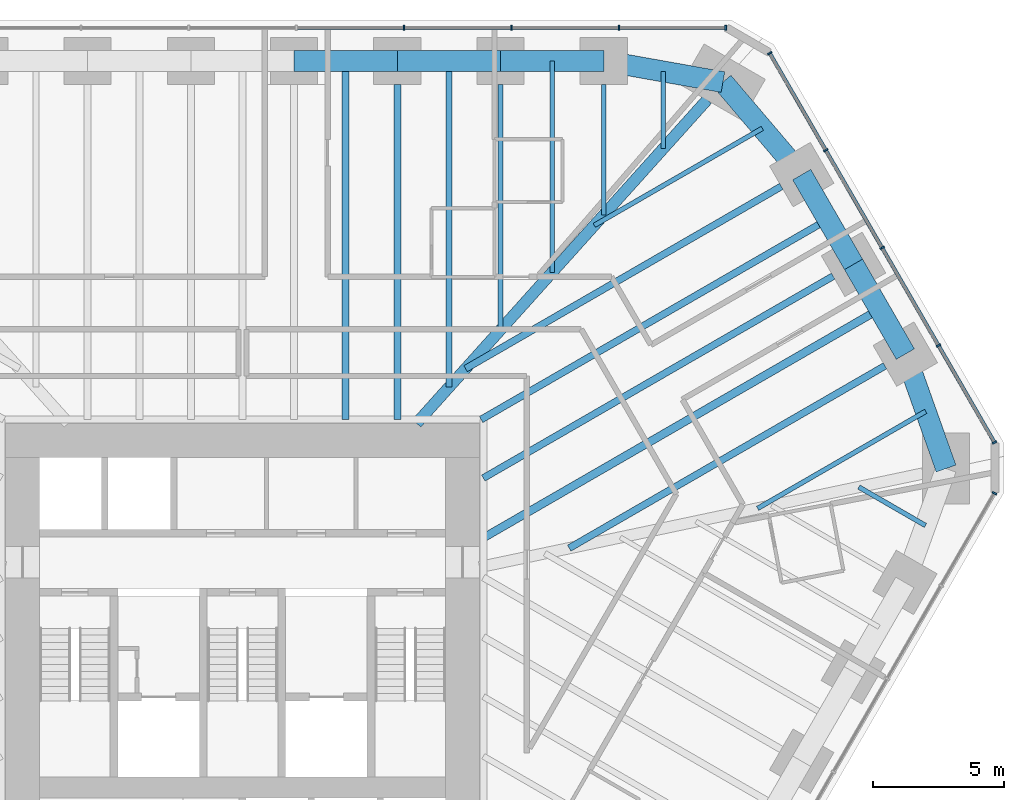
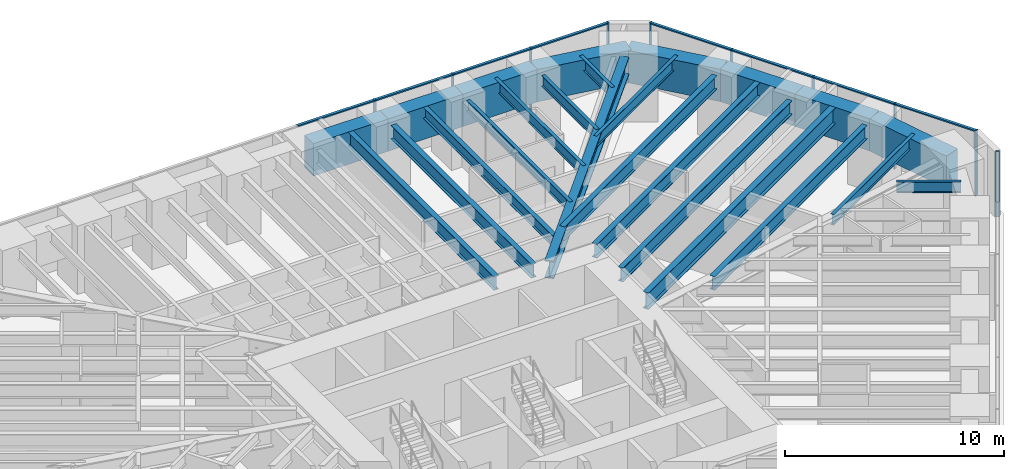
# One storey, part 9 of 16: 24 beams, 18 members, 3 elements without a shape of their own.
"""IFC4 building model written with IfcOpenShell, lengths in metres."""

from ifc_helpers import new_model, si_unit, direction, frame, origin, origin_2d, place, context, subcontext, project, spatial, rectangle, i_section, extrude, material, material_profile, profile_set, type_object, element, aggregate, save


model = new_model("IFC4")

# Units and contexts
model_context = context("Model", 3, precision=1e-05, world=origin(), true_north=direction((0.0, 1.0)))
body_context = subcontext(model_context, "Body", "Model", "MODEL_VIEW")
ifc_project = project(units=[si_unit("LENGTHUNIT", "METRE"), si_unit("AREAUNIT", "SQUARE_METRE"), si_unit("VOLUMEUNIT", "CUBIC_METRE"), si_unit("PLANEANGLEUNIT", "RADIAN"), si_unit("MASSUNIT", "GRAM", prefix="KILO")], contexts=[model_context])

# Site, building, storey
site_placement = place(None, origin())
site = spatial("IfcSite", under=ifc_project, at=site_placement, CompositionType="ELEMENT")
building_placement = place(site_placement, origin())
building = spatial("IfcBuilding", under=site, at=building_placement, Name="Sandreach Pilgrim Tower", CompositionType="ELEMENT")
storey_placement = place(building_placement, frame((0.0, 0.0, 131.0)))
storey = spatial("IfcBuildingStorey", under=building, at=storey_placement, Name="L32", CompositionType="ELEMENT", Elevation=131.0)

# Curtain wall, members
ifc_material_1 = material(Name="Aluminium framed curtain wall", Category="aluminium")
curtain_wall_type = type_object("IfcCurtainWallType", Name="Hotel tower curtain wall", PredefinedType="NOTDEFINED", material=ifc_material_1)
curtain_wall_1_placement = place(storey_placement, origin())
curtain_wall_1 = element("IfcCurtainWall", 1, at=curtain_wall_1_placement, inside=storey, type_object=curtain_wall_type, Name="CW-2 L32 N", PredefinedType="NOTDEFINED")
ifc_material_2 = material(Name="Aluminium extrusion", Category="aluminium")
ifc_material_profile_1 = material_profile(ifc_material_2, rectangle(XDim=0.06494140625, YDim=0.179931640625, at=origin_2d()), Name="CW-2M 65X180")
ifc_profile_set_1 = profile_set([ifc_material_profile_1], Name="Aluminium extrusion")
member_type_1 = type_object("IfcMemberType", Name="CW-2 mullion", PredefinedType="MULLION", material=ifc_profile_set_1)
member_1_placement = place(storey_placement, frame((6.160400390625, 22.493896484375, 0.0), z_axis=(0.0, 0.0, 1.0), x_axis=(1.0, 0.0, 0.0)))
member_1 = element("IfcMember", 2, at=member_1_placement, type_object=member_type_1, Name="CW-2 mullion 7", PredefinedType="MULLION", context=body_context, shape_type="SweptSolid", body=[
    extrude(rectangle(XDim=0.06494140625, YDim=0.179931640625, at=origin_2d()), origin(), (0.0, 0.0, 1.0), 3.639892578125),
])
member_2_placement = place(storey_placement, frame((10.267333984375, 22.493896484375, 0.0), z_axis=(0.0, 0.0, 1.0), x_axis=(1.0, 0.0, 0.0)))
member_2 = element("IfcMember", 3, at=member_2_placement, type_object=member_type_1, Name="CW-2 mullion 8", PredefinedType="MULLION", context=body_context, shape_type="SweptSolid", body=[
    extrude(rectangle(XDim=0.06494140625, YDim=0.179931640625, at=origin_2d()), origin(), (0.0, 0.0, 1.0), 3.639892578125),
])
member_3_placement = place(storey_placement, frame((14.37451171875, 22.493896484375, 0.0), z_axis=(0.0, 0.0, 1.0), x_axis=(1.0, 0.0, 0.0)))
member_3 = element("IfcMember", 4, at=member_3_placement, type_object=member_type_1, Name="CW-2 mullion 9", PredefinedType="MULLION", context=body_context, shape_type="SweptSolid", body=[
    extrude(rectangle(XDim=0.06494140625, YDim=0.179931640625, at=origin_2d()), origin(), (0.0, 0.0, 1.0), 3.639892578125),
])
member_4_placement = place(storey_placement, frame((18.448974609375, 22.493896484375, 0.0), z_axis=(0.0, 0.0, 1.0), x_axis=(1.0, 0.0, 0.0)))
member_4 = element("IfcMember", 5, at=member_4_placement, type_object=member_type_1, Name="CW-2 mullion 10", PredefinedType="MULLION", context=body_context, shape_type="SweptSolid", body=[
    extrude(rectangle(XDim=0.06494140625, YDim=0.179931640625, at=origin_2d()), origin(), (0.0, 0.0, 1.0), 3.639892578125),
])

curtain_wall_2_placement = place(storey_placement, origin())
curtain_wall_2 = element("IfcCurtainWall", 6, at=curtain_wall_2_placement, inside=storey, type_object=curtain_wall_type, Name="CW-2 L32 NE", PredefinedType="NOTDEFINED")
member_5_placement = place(storey_placement, frame((20.125732421875, 21.525634765625, 0.0), z_axis=(0.0, 0.0, 1.0), x_axis=(0.5, -0.866025403784, 0.0)))
member_5 = element("IfcMember", 7, at=member_5_placement, type_object=member_type_1, Name="CW-2 mullion 1", PredefinedType="MULLION", context=body_context, shape_type="SweptSolid", body=[
    extrude(rectangle(XDim=0.06494140625, YDim=0.179931640625, at=origin_2d()), origin(), (0.0, 0.0, 1.0), 3.639892578125),
])
member_6_placement = place(storey_placement, frame((22.262451171875, 17.824951171875, 0.0), z_axis=(0.0, 0.0, 1.0), x_axis=(0.5, -0.866025403784, 0.0)))
member_6 = element("IfcMember", 8, at=member_6_placement, type_object=member_type_1, Name="CW-2 mullion 2", PredefinedType="MULLION", context=body_context, shape_type="SweptSolid", body=[
    extrude(rectangle(XDim=0.06494140625, YDim=0.179931640625, at=origin_2d()), origin(), (0.0, 0.0, 1.0), 3.639892578125),
])
member_7_placement = place(storey_placement, frame((24.415283203125, 14.09619140625, 0.0), z_axis=(0.0, 0.0, 1.0), x_axis=(0.5, -0.866025403784, 0.0)))
member_7 = element("IfcMember", 9, at=member_7_placement, type_object=member_type_1, Name="CW-2 mullion 3", PredefinedType="MULLION", context=body_context, shape_type="SweptSolid", body=[
    extrude(rectangle(XDim=0.06494140625, YDim=0.179931640625, at=origin_2d()), origin(), (0.0, 0.0, 1.0), 3.639892578125),
])
member_8_placement = place(storey_placement, frame((26.568115234375, 10.3671875, 0.0), z_axis=(0.0, 0.0, 1.0), x_axis=(0.5, -0.866025403784, 0.0)))
member_8 = element("IfcMember", 10, at=member_8_placement, type_object=member_type_1, Name="CW-2 mullion 4", PredefinedType="MULLION", context=body_context, shape_type="SweptSolid", body=[
    extrude(rectangle(XDim=0.06494140625, YDim=0.179931640625, at=origin_2d()), origin(), (0.0, 0.0, 1.0), 3.639892578125),
])
member_9_placement = place(storey_placement, frame((28.70458984375, 6.66650390625, 0.0), z_axis=(0.0, 0.0, 1.0), x_axis=(0.5, -0.866025403784, 0.0)))
member_9 = element("IfcMember", 11, at=member_9_placement, type_object=member_type_1, Name="CW-2 mullion 5", PredefinedType="MULLION", context=body_context, shape_type="SweptSolid", body=[
    extrude(rectangle(XDim=0.06494140625, YDim=0.179931640625, at=origin_2d()), origin(), (0.0, 0.0, 1.0), 3.639892578125),
])

# Curtain wall, member
curtain_wall_3_placement = place(storey_placement, origin())
curtain_wall_3 = element("IfcCurtainWall", 12, at=curtain_wall_3_placement, inside=storey, type_object=curtain_wall_type, Name="CW-2 L32 SE", PredefinedType="NOTDEFINED")
member_10_placement = place(storey_placement, frame((28.70458984375, 4.730224609375, 0.0), z_axis=(0.0, 0.0, 1.0), x_axis=(-0.5, -0.866025403784, 0.0)))
member_10 = element("IfcMember", 13, at=member_10_placement, type_object=member_type_1, Name="CW-2 mullion 1", PredefinedType="MULLION", context=body_context, shape_type="SweptSolid", body=[
    extrude(rectangle(XDim=0.06494140625, YDim=0.179931640625, at=origin_2d()), origin(), (0.0, 0.0, 1.0), 3.639892578125),
])
aggregate(curtain_wall_3, [member_10])

# Member
ifc_material_3 = material(Name="Aluminium extrusion", Category="aluminium")
ifc_material_profile_2 = material_profile(ifc_material_3, rectangle(XDim=0.139892578125, YDim=0.070068359375, at=origin_2d()), Name="CW-2T 140X70")
ifc_profile_set_2 = profile_set([ifc_material_profile_2], Name="Aluminium extrusion")
member_type_2 = type_object("IfcMemberType", Name="CW-2 transom", PredefinedType="USERDEFINED", material=ifc_profile_set_2)
member_11_placement = place(storey_placement, frame((2.0859375, 22.493896484375, 3.60498046875), z_axis=(1.0, 0.0, 0.0), x_axis=(0.0, 1.0, 0.0)))
member_11 = element("IfcMember", 14, at=member_11_placement, type_object=member_type_2, Name="CW-2 head transom 6", ObjectType="TRANSOM", PredefinedType="USERDEFINED", context=body_context, shape_type="SweptSolid", body=[
    extrude(rectangle(XDim=0.139892578125, YDim=0.070068359375, at=origin_2d()), origin(), (0.0, 0.0, 1.0), 4.0419921875),
])

member_12_placement = place(storey_placement, frame((6.19287109375, 22.493896484375, 3.60498046875), z_axis=(1.0, 0.0, 0.0), x_axis=(0.0, 1.0, 0.0)))
member_12 = element("IfcMember", 15, at=member_12_placement, type_object=member_type_2, Name="CW-2 head transom 7", ObjectType="TRANSOM", PredefinedType="USERDEFINED", context=body_context, shape_type="SweptSolid", body=[
    extrude(rectangle(XDim=0.139892578125, YDim=0.070068359375, at=origin_2d()), origin(), (0.0, 0.0, 1.0), 4.0419921875),
])

member_13_placement = place(storey_placement, frame((10.300048828125, 22.493896484375, 3.60498046875), z_axis=(1.0, 0.0, 0.0), x_axis=(0.0, 1.0, 0.0)))
member_13 = element("IfcMember", 16, at=member_13_placement, type_object=member_type_2, Name="CW-2 head transom 8", ObjectType="TRANSOM", PredefinedType="USERDEFINED", context=body_context, shape_type="SweptSolid", body=[
    extrude(rectangle(XDim=0.139892578125, YDim=0.070068359375, at=origin_2d()), origin(), (0.0, 0.0, 1.0), 4.041748046875),
])

member_14_placement = place(storey_placement, frame((14.406982421875, 22.493896484375, 3.60498046875), z_axis=(1.0, 0.0, 0.0), x_axis=(0.0, 1.0, 0.0)))
member_14 = element("IfcMember", 17, at=member_14_placement, type_object=member_type_2, Name="CW-2 head transom 9", ObjectType="TRANSOM", PredefinedType="USERDEFINED", context=body_context, shape_type="SweptSolid", body=[
    extrude(rectangle(XDim=0.139892578125, YDim=0.070068359375, at=origin_2d()), origin(), (0.0, 0.0, 1.0), 4.00927734375),
])

aggregate(curtain_wall_1, [member_1, member_2, member_3, member_4, member_11, member_12, member_13, member_14])

member_15_placement = place(storey_placement, frame((20.14208984375, 21.49755859375, 3.60498046875), z_axis=(0.49997020258, -0.86604260665, 0.0), x_axis=(0.86604260665, 0.49997020258, 0.0)))
member_15 = element("IfcMember", 18, at=member_15_placement, type_object=member_type_2, Name="CW-2 head transom 1", ObjectType="TRANSOM", PredefinedType="USERDEFINED", context=body_context, shape_type="SweptSolid", body=[
    extrude(rectangle(XDim=0.139892578125, YDim=0.070068359375, at=origin_2d()), origin(), (0.0, 0.0, 1.0), 4.208251953125),
])

member_16_placement = place(storey_placement, frame((22.278564453125, 17.796875, 3.60498046875), z_axis=(0.499996541496, -0.866027400544, 0.0), x_axis=(0.866027400544, 0.499996541496, 0.0)))
member_16 = element("IfcMember", 19, at=member_16_placement, type_object=member_type_2, Name="CW-2 head transom 2", ObjectType="TRANSOM", PredefinedType="USERDEFINED", context=body_context, shape_type="SweptSolid", body=[
    extrude(rectangle(XDim=0.139892578125, YDim=0.070068359375, at=origin_2d()), origin(), (0.0, 0.0, 1.0), 4.24072265625),
])

member_17_placement = place(storey_placement, frame((24.431396484375, 14.06787109375, 3.60498046875), z_axis=(0.500021471012, -0.866013007135, 0.0), x_axis=(0.866013007135, 0.500021471012, 0.0)))
member_17 = element("IfcMember", 20, at=member_17_placement, type_object=member_type_2, Name="CW-2 head transom 3", ObjectType="TRANSOM", PredefinedType="USERDEFINED", context=body_context, shape_type="SweptSolid", body=[
    extrude(rectangle(XDim=0.139892578125, YDim=0.070068359375, at=origin_2d()), origin(), (0.0, 0.0, 1.0), 4.240478515625),
])

member_18_placement = place(storey_placement, frame((26.584228515625, 10.339111328125, 3.60498046875), z_axis=(0.500038835258, -0.866002981077, 0.0), x_axis=(0.866002981077, 0.500038835258, 0.0)))
member_18 = element("IfcMember", 21, at=member_18_placement, type_object=member_type_2, Name="CW-2 head transom 4", ObjectType="TRANSOM", PredefinedType="USERDEFINED", context=body_context, shape_type="SweptSolid", body=[
    extrude(rectangle(XDim=0.139892578125, YDim=0.070068359375, at=origin_2d()), origin(), (0.0, 0.0, 1.0), 4.208251953125),
])

aggregate(curtain_wall_2, [member_5, member_6, member_7, member_8, member_9, member_15, member_16, member_17, member_18])

# Beams
ifc_material_4 = material(Name="Steel ASTM A992 Grade 50", Category="steel")
ifc_material_profile_3 = material_profile(ifc_material_4, i_section(OverallWidth=0.431884765625, OverallDepth=0.988037109375, WebThickness=0.034423828125, FlangeThickness=0.06201171875, at=origin_2d()), Name="W36X441")
ifc_profile_set_3 = profile_set([ifc_material_profile_3], Name="Steel ASTM A992 Grade 50")
beam_type_1 = type_object("IfcBeamType", Name="Corner girder W36X441", PredefinedType="BEAM", material=ifc_profile_set_3)
beam_1_placement = place(storey_placement, frame((17.738037109375, 19.754150390625, 3.14599609375), z_axis=(-0.66811374471, -0.74405915365, 0.0), x_axis=(0.74405915365, -0.66811374471, 0.0)))
element("IfcBeam", 22, at=beam_1_placement, inside=storey, type_object=beam_type_1, Name="BM L32 CG09", PredefinedType="BEAM", context=body_context, shape_type="SweptSolid", body=[
    extrude(i_section(OverallWidth=0.431884765625, OverallDepth=0.988037109375, WebThickness=0.034423828125, FlangeThickness=0.06201171875, at=origin_2d()), origin(), (0.0, 0.0, 1.0), 16.603759765625),
])
ifc_material_5 = material(Name="Steel ASTM A992 Grade 50", Category="steel")
ifc_material_profile_4 = material_profile(ifc_material_5, i_section(OverallWidth=0.1787109375, OverallDepth=0.60205078125, WebThickness=0.010986328125, FlangeThickness=0.014892578125, at=origin_2d()), Name="W24X62")
ifc_profile_set_4 = profile_set([ifc_material_profile_4], Name="Steel ASTM A992 Grade 50")
beam_type_2 = type_object("IfcBeamType", Name="Floor beam W24X62", PredefinedType="BEAM", material=ifc_profile_set_4)
beam_2_placement = place(storey_placement, frame((9.849853515625, 20.333740234375, 3.339111328125), z_axis=(0.0, -1.0, 0.0), x_axis=(1.0, 0.0, 0.0)))
element("IfcBeam", 23, at=beam_2_placement, inside=storey, type_object=beam_type_2, Name="BM L32 F07", PredefinedType="BEAM", context=body_context, shape_type="SweptSolid", body=[
    extrude(i_section(OverallWidth=0.1787109375, OverallDepth=0.60205078125, WebThickness=0.010986328125, FlangeThickness=0.014892578125, at=origin_2d()), origin(), (0.0, 0.0, 1.0), 9.3642578125),
])
beam_3_placement = place(storey_placement, frame((13.789794921875, 20.333740234375, 3.339111328125), z_axis=(0.0, -1.0, 0.0), x_axis=(1.0, 0.0, 0.0)))
element("IfcBeam", 24, at=beam_3_placement, inside=storey, type_object=beam_type_2, Name="BM L32 F08", PredefinedType="BEAM", context=body_context, shape_type="SweptSolid", body=[
    extrude(i_section(OverallWidth=0.1787109375, OverallDepth=0.60205078125, WebThickness=0.010986328125, FlangeThickness=0.014892578125, at=origin_2d()), origin(), (0.0, 0.0, 1.0), 4.9765625),
])
beam_4_placement = place(storey_placement, frame((11.81982421875, 21.23388671875, 3.339111328125), z_axis=(0.0, -1.0, 0.0), x_axis=(1.0, 0.0, 0.0)))
element("IfcBeam", 25, at=beam_4_placement, inside=storey, type_object=beam_type_2, Name="BM L32 FM07", PredefinedType="BEAM", context=body_context, shape_type="SweptSolid", body=[
    extrude(i_section(OverallWidth=0.1787109375, OverallDepth=0.60205078125, WebThickness=0.010986328125, FlangeThickness=0.014892578125, at=origin_2d()), origin(), (0.0, 0.0, 1.0), 8.070556640625),
])
beam_5_placement = place(storey_placement, frame((16.064697265625, 20.828857421875, 3.339111328125), z_axis=(0.0, -1.0, 0.0), x_axis=(1.0, 0.0, 0.0)))
element("IfcBeam", 26, at=beam_5_placement, inside=storey, type_object=beam_type_2, Name="BM L32 FM08", PredefinedType="BEAM", context=body_context, shape_type="SweptSolid", body=[
    extrude(i_section(OverallWidth=0.1787109375, OverallDepth=0.60205078125, WebThickness=0.010986328125, FlangeThickness=0.014892578125, at=origin_2d()), origin(), (0.0, 0.0, 1.0), 2.938232421875),
])
for number, where, z_axis, x_axis, name in (
    (27, (19.8427734375, 18.65771484375, 3.339111328125), (-0.866025875064, -0.499999183719, 0.0), (0.499999183719, -0.866025875064, 0.0), "BM L32 FM09"),
    (28, (26.079345703125, 7.855712890625, 3.339111328125), (-0.866025875064, -0.499999183719, 0.0), (0.499999183719, -0.866025875064, 0.0), "BM L32 FM12"),
):
    element("IfcBeam", number, at=place(storey_placement, frame(where, z_axis=z_axis, x_axis=x_axis)), inside=storey, type_object=beam_type_2, Name=name, PredefinedType="BEAM", context=body_context, shape_type="SweptSolid", body=[
        extrude(i_section(OverallWidth=0.1787109375, OverallDepth=0.60205078125, WebThickness=0.010986328125, FlangeThickness=0.014892578125, at=origin_2d()), origin(), (0.0, 0.0, 1.0), 7.40771484375),
    ])
beam_6_placement = place(storey_placement, frame((26.070556640625, 3.498046875, 3.339111328125), z_axis=(-0.866051374412, 0.499955014855, 0.0), x_axis=(-0.499955014855, -0.866051374412, 0.0)))
element("IfcBeam", 29, at=beam_6_placement, inside=storey, type_object=beam_type_2, Name="BM L32 FM13", PredefinedType="BEAM", context=body_context, shape_type="SweptSolid", body=[
    extrude(i_section(OverallWidth=0.1787109375, OverallDepth=0.60205078125, WebThickness=0.010986328125, FlangeThickness=0.014892578125, at=origin_2d()), origin(), (0.0, 0.0, 1.0), 2.938232421875),
])
ifc_material_6 = material(Name="Steel ASTM A992 Grade 50", Category="steel")
ifc_material_profile_5 = material_profile(ifc_material_6, i_section(OverallWidth=0.23046875, OverallDepth=0.6171875, WebThickness=0.01318359375, FlangeThickness=0.022216796875, at=origin_2d()), Name="W24X94")
ifc_profile_set_5 = profile_set([ifc_material_profile_5], Name="Steel ASTM A992 Grade 50")
beam_type_3 = type_object("IfcBeamType", Name="Floor beam W24X94", PredefinedType="BEAM", material=ifc_profile_set_5)
beam_7_placement = place(storey_placement, frame((7.8798828125, 21.23388671875, 3.331298828125), z_axis=(0.0, -1.0, 0.0), x_axis=(1.0, 0.0, 0.0)))
element("IfcBeam", 30, at=beam_7_placement, inside=storey, type_object=beam_type_3, Name="BM L32 FM06", PredefinedType="BEAM", context=body_context, shape_type="SweptSolid", body=[
    extrude(i_section(OverallWidth=0.23046875, OverallDepth=0.6171875, WebThickness=0.01318359375, FlangeThickness=0.022216796875, at=origin_2d()), origin(), (0.0, 0.0, 1.0), 12.458251953125),
])
ifc_material_7 = material(Name="Steel ASTM A992 Grade 50", Category="steel")
ifc_material_profile_6 = material_profile(ifc_material_7, i_section(OverallWidth=0.2666015625, OverallDepth=0.761962890625, WebThickness=0.014404296875, FlangeThickness=0.021484375, at=origin_2d()), Name="W30X116")
ifc_profile_set_6 = profile_set([ifc_material_profile_6], Name="Steel ASTM A992 Grade 50")
beam_type_4 = type_object("IfcBeamType", Name="Floor beam W30X116", PredefinedType="BEAM", material=ifc_profile_set_6)
beam_8_placement = place(storey_placement, frame((5.909912109375, 20.333740234375, 3.259033203125), z_axis=(0.0, -1.0, 0.0), x_axis=(1.0, 0.0, 0.0)))
element("IfcBeam", 31, at=beam_8_placement, inside=storey, type_object=beam_type_4, Name="BM L32 F06", PredefinedType="BEAM", context=body_context, shape_type="SweptSolid", body=[
    extrude(i_section(OverallWidth=0.2666015625, OverallDepth=0.761962890625, WebThickness=0.014404296875, FlangeThickness=0.021484375, at=origin_2d()), origin(), (0.0, 0.0, 1.0), 12.790283203125),
])
beam_9_placement = place(storey_placement, frame((20.56689453125, 16.44140625, 3.259033203125), z_axis=(-0.866022263426, -0.500005439221, 0.0), x_axis=(0.500005439221, -0.866022263426, 0.0)))
element("IfcBeam", 32, at=beam_9_placement, inside=storey, type_object=beam_type_4, Name="BM L32 F10", PredefinedType="BEAM", context=body_context, shape_type="SweptSolid", body=[
    extrude(i_section(OverallWidth=0.2666015625, OverallDepth=0.761962890625, WebThickness=0.014404296875, FlangeThickness=0.021484375, at=origin_2d()), origin(), (0.0, 0.0, 1.0), 13.915283203125),
])
beam_10_placement = place(storey_placement, frame((24.522216796875, 9.5908203125, 3.259033203125), z_axis=(-0.866026649588, -0.499997842199, 0.0), x_axis=(0.499997842199, -0.866026649588, 0.0)))
element("IfcBeam", 33, at=beam_10_placement, inside=storey, type_object=beam_type_4, Name="BM L32 F12", PredefinedType="BEAM", context=body_context, shape_type="SweptSolid", body=[
    extrude(i_section(OverallWidth=0.2666015625, OverallDepth=0.761962890625, WebThickness=0.014404296875, FlangeThickness=0.021484375, at=origin_2d()), origin(), (0.0, 0.0, 1.0), 13.91552734375),
])
beam_11_placement = place(storey_placement, frame((3.93994140625, 21.23388671875, 3.259033203125), z_axis=(0.0, -1.0, 0.0), x_axis=(1.0, 0.0, 0.0)))
element("IfcBeam", 34, at=beam_11_placement, inside=storey, type_object=beam_type_4, Name="BM L32 FM05", PredefinedType="BEAM", context=body_context, shape_type="SweptSolid", body=[
    extrude(i_section(OverallWidth=0.2666015625, OverallDepth=0.761962890625, WebThickness=0.014404296875, FlangeThickness=0.021484375, at=origin_2d()), origin(), (0.0, 0.0, 1.0), 13.6904296875),
])
ifc_material_8 = material(Name="Steel ASTM A992 Grade 50", Category="steel")
ifc_material_profile_7 = material_profile(ifc_material_8, i_section(OverallWidth=0.2666015625, OverallDepth=0.77978515625, WebThickness=0.0166015625, FlangeThickness=0.030029296875, at=origin_2d()), Name="W30X148")
ifc_profile_set_7 = profile_set([ifc_material_profile_7], Name="Steel ASTM A992 Grade 50")
beam_type_5 = type_object("IfcBeamType", Name="Floor beam W30X148", PredefinedType="BEAM", material=ifc_profile_set_7)
beam_12_placement = place(storey_placement, frame((22.544677734375, 13.01611328125, 3.25), z_axis=(-0.866029203842, -0.49999341805, 0.0), x_axis=(0.49999341805, -0.866029203842, 0.0)))
element("IfcBeam", 35, at=beam_12_placement, inside=storey, type_object=beam_type_5, Name="BM L32 F11", PredefinedType="BEAM", context=body_context, shape_type="SweptSolid", body=[
    extrude(i_section(OverallWidth=0.2666015625, OverallDepth=0.77978515625, WebThickness=0.0166015625, FlangeThickness=0.030029296875, at=origin_2d()), origin(), (0.0, 0.0, 1.0), 15.416748046875),
])
beam_13_placement = place(storey_placement, frame((22.335205078125, 15.1787109375, 3.25), z_axis=(-0.866028773314, -0.499994163758, 0.0), x_axis=(0.499994163758, -0.866028773314, 0.0)))
element("IfcBeam", 36, at=beam_13_placement, inside=storey, type_object=beam_type_5, Name="BM L32 FM10", PredefinedType="BEAM", context=body_context, shape_type="SweptSolid", body=[
    extrude(i_section(OverallWidth=0.2666015625, OverallDepth=0.77978515625, WebThickness=0.0166015625, FlangeThickness=0.030029296875, at=origin_2d()), origin(), (0.0, 0.0, 1.0), 15.270751953125),
])
ifc_material_9 = material(Name="Steel ASTM A992 Grade 50", Category="steel")
ifc_material_profile_8 = material_profile(ifc_material_9, i_section(OverallWidth=0.3046875, OverallDepth=0.914306640625, WebThickness=0.0166015625, FlangeThickness=0.02587890625, at=origin_2d()), Name="W36X160")
ifc_profile_set_8 = profile_set([ifc_material_profile_8], Name="Steel ASTM A992 Grade 50")
beam_type_6 = type_object("IfcBeamType", Name="Floor beam W36X160", PredefinedType="BEAM", material=ifc_profile_set_8)
beam_14_placement = place(storey_placement, frame((24.312744140625, 11.75341796875, 3.182861328125), z_axis=(-0.866023737483, -0.500002886107, 0.0), x_axis=(0.500002886107, -0.866023737483, 0.0)))
element("IfcBeam", 37, at=beam_14_placement, inside=storey, type_object=beam_type_6, Name="BM L32 FM11", PredefinedType="BEAM", context=body_context, shape_type="SweptSolid", body=[
    extrude(i_section(OverallWidth=0.3046875, OverallDepth=0.914306640625, WebThickness=0.0166015625, FlangeThickness=0.02587890625, at=origin_2d()), origin(), (0.0, 0.0, 1.0), 17.45849609375),
])
ifc_material_10 = material(Name="Concrete 10000 psi", Category="concrete")
ifc_material_profile_9 = material_profile(ifc_material_10, rectangle(XDim=0.800048828125, YDim=1.800048828125, at=origin_2d()), Name="RC800X1800")
ifc_profile_set_9 = profile_set([ifc_material_profile_9], Name="Concrete 10000 psi")
beam_type_7 = type_object("IfcBeamType", Name="Spandrel beam RC800X1800", PredefinedType="SPANDREL", material=ifc_profile_set_9)
for number, where, z_axis, x_axis, name in (
    (38, (1.969970703125, 21.23388671875, 2.739990234375), (1.0, 0.0, 0.0), (0.0, 1.0, 0.0), "BM L32 SP05"),
    (39, (5.909912109375, 21.23388671875, 2.739990234375), (1.0, 0.0, 0.0), (0.0, 1.0, 0.0), "BM L32 SP06"),
    (40, (9.849853515625, 21.23388671875, 2.739990234375), (1.0, 0.0, 0.0), (0.0, 1.0, 0.0), "BM L32 SP07"),
):
    element("IfcBeam", number, at=place(storey_placement, frame(where, z_axis=z_axis, x_axis=x_axis)), inside=storey, type_object=beam_type_7, Name=name, PredefinedType="SPANDREL", context=body_context, shape_type="SweptSolid", body=[
        extrude(rectangle(XDim=0.800048828125, YDim=1.800048828125, at=origin_2d()), origin(), (0.0, 0.0, 1.0), 3.93994140625),
    ])
beam_15_placement = place(storey_placement, frame((13.789794921875, 21.23388671875, 2.739990234375), z_axis=(0.984515938739, -0.175295083699, 0.0), x_axis=(0.175295083699, 0.984515938739, 0.0)))
element("IfcBeam", 41, at=beam_15_placement, inside=storey, type_object=beam_type_7, Name="BM L32 SP08", PredefinedType="SPANDREL", context=body_context, shape_type="SweptSolid", body=[
    extrude(rectangle(XDim=0.800048828125, YDim=1.800048828125, at=origin_2d()), origin(), (0.0, 0.0, 1.0), 4.62109375),
])
beam_16_placement = place(storey_placement, frame((18.33935546875, 20.423828125, 2.739990234375), z_axis=(0.648208888384, -0.761462564425, 0.0), x_axis=(0.761462564425, 0.648208888384, 0.0)))
element("IfcBeam", 42, at=beam_16_placement, inside=storey, type_object=beam_type_7, Name="BM L32 SP09", PredefinedType="SPANDREL", context=body_context, shape_type="SweptSolid", body=[
    extrude(rectangle(XDim=0.800048828125, YDim=1.800048828125, at=origin_2d()), origin(), (0.0, 0.0, 1.0), 4.63916015625),
])
for number, where, z_axis, x_axis, name in (
    (43, (21.346435546875, 16.891357421875, 2.739990234375), (0.499989616998, -0.866031398331, 0.0), (0.866031398331, 0.499989616998, 0.0), "BM L32 SP10"),
    (44, (23.323974609375, 13.466064453125, 2.739990234375), (0.499989616998, -0.866031398331, 0.0), (0.866031398331, 0.499989616998, 0.0), "BM L32 SP11"),
):
    element("IfcBeam", number, at=place(storey_placement, frame(where, z_axis=z_axis, x_axis=x_axis)), inside=storey, type_object=beam_type_7, Name=name, PredefinedType="SPANDREL", context=body_context, shape_type="SweptSolid", body=[
        extrude(rectangle(XDim=0.800048828125, YDim=1.800048828125, at=origin_2d()), origin(), (0.0, 0.0, 1.0), 3.955078125),
    ])
beam_17_placement = place(storey_placement, frame((25.301513671875, 10.040771484375, 2.739990234375), z_axis=(0.335346041399, -0.942095023083, 0.0), x_axis=(0.942095023083, 0.335346041399, 0.0)))
element("IfcBeam", 45, at=beam_17_placement, inside=storey, type_object=beam_type_7, Name="BM L32 SP12", PredefinedType="SPANDREL", context=body_context, shape_type="SweptSolid", body=[
    extrude(rectangle(XDim=0.800048828125, YDim=1.800048828125, at=origin_2d()), origin(), (0.0, 0.0, 1.0), 4.638916015625),
])

save(model, "model.ifc")
